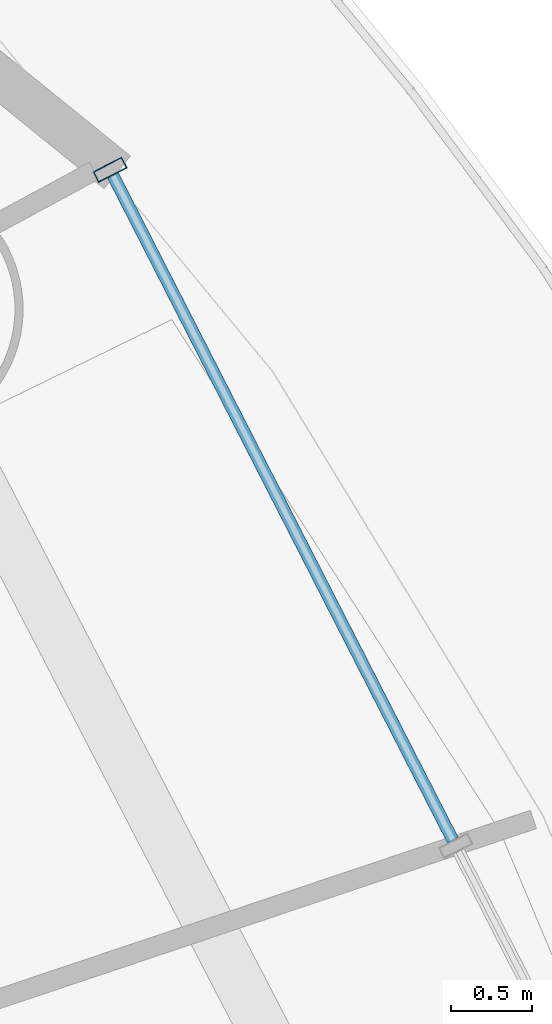
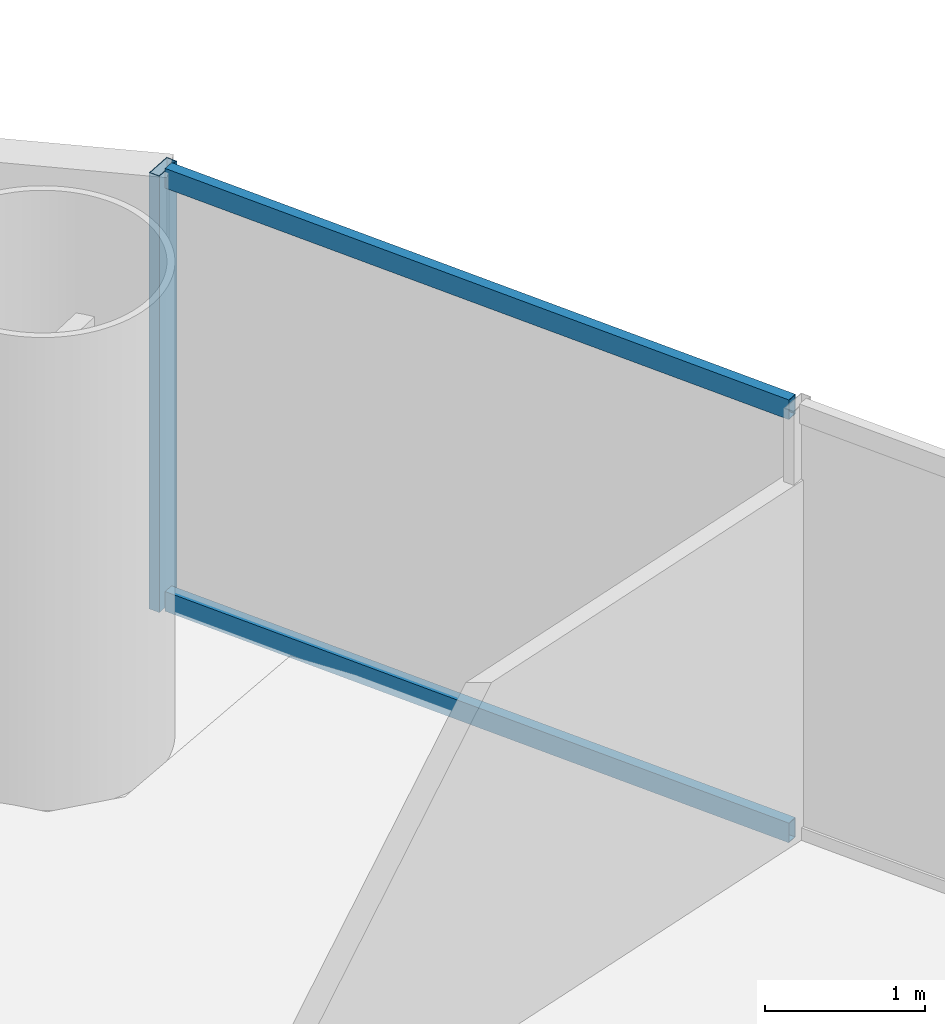
# One storey, part 20 of 29: 3 members, 1 element without a shape of its own.
"""IFC4 building model written with IfcOpenShell, lengths in metres."""

import ifcopenshell
import ifcopenshell.guid

model = None  # the IFC model being written
_history = None  # IfcOwnerHistory: only IFC2X3 demands one
_inside = {}  # id of a spatial element -> (the spatial element, [elements in it])
_under = {}  # id of a project, library or spatial element -> (it, [spatial elements below it])
_declared = {}  # id of a project -> (the project, [libraries it declares])
_typed = {}  # id of a type object -> (the type object, [elements of that type])
_made_of = {}  # id of a material, layer set ... -> (it, [elements and type objects made of it])


def new_model(schema):
    """Start an empty IFC model of exactly this schema.

    Asked for "IFC4X3", IfcOpenShell would pick the latest addendum, in which some entities
    have other attributes; the version numbers below select the first issue.
    IFC2X3 requires an IfcOwnerHistory on every rooted entity: one is made here for all.
    """
    global model, _history
    if schema == "IFC4X3":
        model = ifcopenshell.file(schema_version=(4, 3, 0, 0))
    else:
        model = ifcopenshell.file(schema=schema)
    _inside.clear()
    _under.clear()
    _declared.clear()
    _typed.clear()
    _made_of.clear()
    _history = None
    if model.schema == "IFC2X3":
        org = make("IfcOrganization", Name="unknown")
        user = make(
            "IfcPersonAndOrganization",
            ThePerson=make("IfcPerson", FamilyName="unknown"),
            TheOrganization=org,
        )
        app = make(
            "IfcApplication",
            ApplicationDeveloper=org,
            Version="unknown",
            ApplicationFullName="unknown",
            ApplicationIdentifier="unknown",
        )
        _history = make(
            "IfcOwnerHistory",
            OwningUser=user,
            OwningApplication=app,
            ChangeAction="ADDED",
            CreationDate=0,
        )
    return model


def make(cls, **values):
    """One entity of the class cls with the attributes given. An attribute that is None is left unset."""
    return model.create_entity(
        cls, **{name: value for name, value in values.items() if value is not None}
    )


def rooted(cls, **values):
    """An entity with a GlobalId (a new one), such as an element, a storey or a relation."""
    return make(cls, GlobalId=ifcopenshell.guid.new(), OwnerHistory=_history, **values)


def si_unit(unit_type, name, prefix=None):
    """IfcSIUnit, for example si_unit("LENGTHUNIT", "METRE", prefix="MILLI")."""
    return make("IfcSIUnit", UnitType=unit_type, Prefix=prefix, Name=name)


def assignment(units):
    """IfcUnitAssignment: the units of a project."""
    return None if units is None else make("IfcUnitAssignment", Units=units)


def point(xyz):
    """IfcCartesianPoint."""
    return None if xyz is None else make("IfcCartesianPoint", Coordinates=xyz)


def direction(xyz):
    """IfcDirection."""
    return None if xyz is None else make("IfcDirection", DirectionRatios=xyz)


def frame(location, z_axis=None, x_axis=None):
    """IfcAxis2Placement3D, a coordinate frame: its origin and axes. An axis left out is left unset."""
    return make(
        "IfcAxis2Placement3D",
        Location=point(location),
        Axis=direction(z_axis),
        RefDirection=direction(x_axis),
    )


def frame_2d(location, x_axis=None):
    """IfcAxis2Placement2D, a coordinate frame in the plane: its origin and x axis."""
    return make(
        "IfcAxis2Placement2D", Location=point(location), RefDirection=direction(x_axis)
    )


def origin():
    """The frame at (0, 0, 0) with its axes left unset."""
    return frame((0.0, 0.0, 0.0))


def origin_2d():
    """The frame at (0, 0) in the plane with its x axis left unset."""
    return frame_2d((0.0, 0.0))


def place(relative_to, where):
    """IfcLocalPlacement: puts the frame where relative to a parent placement (None: the world)."""
    return make(
        "IfcLocalPlacement", PlacementRelTo=relative_to, RelativePlacement=where
    )


def context(
    kind, dimensions, precision=None, world=None, true_north=None, identifier=None
):
    """IfcGeometricRepresentationContext, for example the 3D "Model" context."""
    return make(
        "IfcGeometricRepresentationContext",
        ContextIdentifier=identifier,
        ContextType=kind,
        CoordinateSpaceDimension=dimensions,
        Precision=precision,
        WorldCoordinateSystem=world,
        TrueNorth=true_north,
    )


def subcontext(parent, identifier, kind, view, scale=None):
    """IfcGeometricRepresentationSubContext, for example "Body" below "Model"."""
    return make(
        "IfcGeometricRepresentationSubContext",
        ContextIdentifier=identifier,
        ContextType=kind,
        ParentContext=parent,
        TargetScale=scale,
        TargetView=view,
    )


def project(units=None, contexts=None):
    """IfcProject with its units and contexts."""
    return rooted(
        "IfcProject",
        Name="project",
        RepresentationContexts=contexts,
        UnitsInContext=assignment(units),
    )


def spatial(cls, under=None, at=None, **own):
    """A site, building, storey or space (cls), placed at a placement, below another one or the project."""
    s = rooted(cls, ObjectPlacement=at, **own)
    if under is not None:
        _under.setdefault(under.id(), (under, []))[1].append(s)
    return s


def profile(cls, at=None, kind="AREA", **sizes):
    """A parametric profile (cls). Its sizes go by their IFC names, for example OverallWidth=200.0."""
    return make(cls, ProfileType=kind, Position=at, **sizes)


def hollow_rectangle(**sizes):
    """IfcRectangleHollowProfileDef."""
    return profile("IfcRectangleHollowProfileDef", **sizes)


def extrude(swept, where, along, depth):
    """IfcExtrudedAreaSolid: the profile swept, set in the frame where, extruded along a direction by depth."""
    return make(
        "IfcExtrudedAreaSolid",
        SweptArea=swept,
        Position=where,
        ExtrudedDirection=direction(along),
        Depth=depth,
    )


def shape(context_of_items, identifier, shape_type, items):
    """IfcShapeRepresentation: the items that make up one representation, for example the "Body"."""
    return make(
        "IfcShapeRepresentation",
        ContextOfItems=context_of_items,
        RepresentationIdentifier=identifier,
        RepresentationType=shape_type,
        Items=items,
    )


def source(mapping_origin, context_of_items, identifier, shape_type, items):
    """IfcRepresentationMap: a shape defined once, which mapped items show again and again."""
    return make(
        "IfcRepresentationMap",
        MappingOrigin=mapping_origin,
        MappedRepresentation=shape(context_of_items, identifier, shape_type, items),
    )


def transform(
    local_origin,
    x_axis=None,
    y_axis=None,
    z_axis=None,
    scale=None,
    scale2=None,
    scale3=None,
    uniform=True,
):
    """IfcCartesianTransformationOperator3D, or its non-uniform kind. x_axis, y_axis, z_axis: its Axis1, 2, 3."""
    if uniform:
        return make(
            "IfcCartesianTransformationOperator3D",
            Axis1=direction(x_axis),
            Axis2=direction(y_axis),
            LocalOrigin=point(local_origin),
            Scale=scale,
            Axis3=direction(z_axis),
        )
    return make(
        "IfcCartesianTransformationOperator3DnonUniform",
        Axis1=direction(x_axis),
        Axis2=direction(y_axis),
        LocalOrigin=point(local_origin),
        Scale=scale,
        Axis3=direction(z_axis),
        Scale2=scale2,
        Scale3=scale3,
    )


def mapped(mapping_source, mapping_target):
    """IfcMappedItem: shows the shape of a source again, moved by a transform."""
    return make(
        "IfcMappedItem", MappingSource=mapping_source, MappingTarget=mapping_target
    )


def material(Name=None, Category=None):
    """IfcMaterial."""
    return make("IfcMaterial", Name=Name, Category=Category)


def material_profile(
    of_material, cross_section, Name=None, Category=None, Priority=None
):
    """IfcMaterialProfile: a cross section and its material."""
    return make(
        "IfcMaterialProfile",
        Name=Name,
        Material=of_material,
        Profile=cross_section,
        Priority=Priority,
        Category=Category,
    )


def profile_set(profiles, Name=None, composite=None):
    """IfcMaterialProfileSet."""
    return make(
        "IfcMaterialProfileSet",
        Name=Name,
        MaterialProfiles=profiles,
        CompositeProfile=composite,
    )


def made_of(thing, what):
    """Note that an element or type object is made of a material, layer set ...; save() writes the relation."""
    if what is not None:
        _made_of.setdefault(what.id(), (what, []))[1].append(thing)
    return thing


def type_object(cls, material=None, **own):
    """A type object (cls), such as IfcWallType, which elements share."""
    return made_of(rooted(cls, **own), material)


def element(
    cls,
    number,
    at=None,
    inside=None,
    cuts=None,
    type_object=None,
    material=None,
    context=None,
    identifier="Body",
    shape_type=None,
    held_by="IfcProductDefinitionShape",
    body=None,
    shapes=None,
    **own,
):
    """One element of the class cls, such as IfcWall. Its Tag is "e" and its number.

    at: its placement. inside: the storey or other place that contains it. cuts: it is an
    opening in that element (IfcRelVoidsElement). A single representation is given by context,
    identifier, shape_type and body (its items); several are given by shapes. held_by: the class
    of the entity that holds the representations. save() writes the other relations.
    """
    e = rooted(cls, Tag="e%d" % number, ObjectPlacement=at, **own)
    if body is not None:
        shapes = [shape(context, identifier, shape_type, body)]
    if shapes is not None:
        e.Representation = make(held_by, Representations=shapes)
    if inside is not None:
        _inside.setdefault(inside.id(), (inside, []))[1].append(e)
    if cuts is not None:
        rooted(
            "IfcRelVoidsElement", RelatingBuildingElement=cuts, RelatedOpeningElement=e
        )
    if type_object is not None:
        _typed.setdefault(type_object.id(), (type_object, []))[1].append(e)
    return made_of(e, material)


def aggregate(whole, parts):
    """IfcRelAggregates: a whole, such as a stair, and the parts it consists of."""
    return rooted("IfcRelAggregates", RelatingObject=whole, RelatedObjects=parts)


def save(model, path):
    """Write the relations noted so far, then the file.

    IfcRelAggregates (storeys below a building ...), IfcRelContainedInSpatialStructure (elements
    in a storey), IfcRelDefinesByType, IfcRelAssociatesMaterial and IfcRelDeclares: one each for
    every whole, place, type object, material and project.
    """
    for whole, parts in _under.values():
        aggregate(whole, parts)
    for where, things in _inside.values():
        rooted(
            "IfcRelContainedInSpatialStructure",
            RelatedElements=things,
            RelatingStructure=where,
        )
    for kind, things in _typed.values():
        rooted("IfcRelDefinesByType", RelatedObjects=things, RelatingType=kind)
    for what, things in _made_of.values():
        rooted("IfcRelAssociatesMaterial", RelatedObjects=things, RelatingMaterial=what)
    for by, libraries in _declared.values():
        rooted("IfcRelDeclares", RelatingContext=by, RelatedDefinitions=libraries)
    model.write(path)


model = new_model("IFC4")

# Units and contexts
model_context = context("Model", 3, precision=1e-05, world=origin(), true_north=direction((-0.2419218956, 0.970295726276)))
body_context = subcontext(model_context, "Body", "Model", "MODEL_VIEW")
ifc_project = project(units=[si_unit("LENGTHUNIT", "METRE"), si_unit("AREAUNIT", "SQUARE_METRE"), si_unit("VOLUMEUNIT", "CUBIC_METRE"), si_unit("PLANEANGLEUNIT", "RADIAN"), si_unit("MASSUNIT", "GRAM", prefix="KILO")], contexts=[model_context])

# Site, building, storey
site_placement = place(None, origin())
site = spatial("IfcSite", under=ifc_project, at=site_placement, CompositionType="ELEMENT")
building_placement = place(site_placement, origin())
building = spatial("IfcBuilding", under=site, at=building_placement, Name="Cobrevalo Terracotta Tower", CompositionType="ELEMENT")
storey_placement = place(building_placement, frame((0.0, 0.0, 49.199951171875)))
storey = spatial("IfcBuildingStorey", under=building, at=storey_placement, Name="L12", CompositionType="ELEMENT", Elevation=49.199951171875)

# Curtain wall, members
ifc_material = material(Name="Anodized aluminium", Category="aluminium")
curtain_wall_type = type_object("IfcCurtainWallType", Name="Lower-tower unitised acoustic low-E curtain wall CW-U1", PredefinedType="NOTDEFINED", material=ifc_material)
curtain_wall_placement = place(storey_placement, origin())
curtain_wall = element("IfcCurtainWall", 1, at=curtain_wall_placement, inside=storey, type_object=curtain_wall_type, Name="L12 curtain wall CW-L12-S01", PredefinedType="NOTDEFINED")
ifc_material_profile_1 = material_profile(ifc_material, hollow_rectangle(XDim=0.074951171875, YDim=0.199951171875, WallThickness=0.0048828125, at=origin_2d()), Name="CWM 75x200")
ifc_profile_set_1 = profile_set([ifc_material_profile_1], Name="Anodized aluminium")
member_type_1 = type_object("IfcMemberType", Name="Lower/mid tower unitised mullion 75x200", PredefinedType="MULLION", material=ifc_profile_set_1)
shared_shape_1 = source(origin(), body_context, "Body", "SweptSolid", [
    extrude(hollow_rectangle(XDim=0.074951171875, YDim=0.199951171875, WallThickness=0.0048828125, at=origin_2d()), origin(), (0.0, 0.0, 1.0), 3.320068359375),
])
member_1_placement = place(storey_placement, frame((62.10595703125, 39.8037109375, 0.0), z_axis=(0.0, 0.0, 1.0), x_axis=(-0.455234136597, 0.890371765543, 0.0)))
member_1 = element("IfcMember", 2, at=member_1_placement, type_object=member_type_1, Name="CW-L12-S01 vertical mullion 03", PredefinedType="MULLION", context=body_context, shape_type="MappedRepresentation", body=[
    mapped(shared_shape_1, transform((0.0, 0.0, 0.0), scale=1.0)),
])
ifc_material_profile_2 = material_profile(ifc_material, hollow_rectangle(XDim=0.074951171875, YDim=0.14990234375, WallThickness=0.00439453125, at=origin_2d()), Name="CWT 75x150")
ifc_profile_set_2 = profile_set([ifc_material_profile_2], Name="Anodized aluminium")
member_type_2 = type_object("IfcMemberType", Name="Tower unitised aluminium transom 75x150", PredefinedType="USERDEFINED", material=ifc_profile_set_2)
shared_shape_2 = source(origin(), body_context, "Body", "SweptSolid", [
    extrude(hollow_rectangle(XDim=0.074951171875, YDim=0.14990234375, WallThickness=0.00439453125, at=origin_2d()), origin(), (0.0, 0.0, 1.0), 4.63134765625),
])
member_2_placement = place(storey_placement, frame((64.232421875, 35.64453125, 0.050048828125), z_axis=(-0.455250376494, 0.890363462133, 0.0), x_axis=(-0.890363462133, -0.455250376494, 0.0)))
member_2 = element("IfcMember", 3, at=member_2_placement, type_object=member_type_2, Name="CW-L12-S01 transom B02-T1", ObjectType="TRANSOM", PredefinedType="USERDEFINED", context=body_context, shape_type="MappedRepresentation", body=[
    mapped(shared_shape_2, transform((0.0, 0.0, 0.0), scale=1.0)),
])
member_3_placement = place(storey_placement, frame((64.232421875, 35.64453125, 3.27001953125), z_axis=(-0.455250376494, 0.890363462133, 0.0), x_axis=(-0.890363462133, -0.455250376494, 0.0)))
member_3 = element("IfcMember", 4, at=member_3_placement, type_object=member_type_2, Name="CW-L12-S01 transom B02-T2", ObjectType="TRANSOM", PredefinedType="USERDEFINED", context=body_context, shape_type="MappedRepresentation", body=[
    mapped(shared_shape_2, transform((0.0, 0.0, 0.0), scale=1.0)),
])
aggregate(curtain_wall, [member_1, member_2, member_3])

save(model, "model.ifc")
